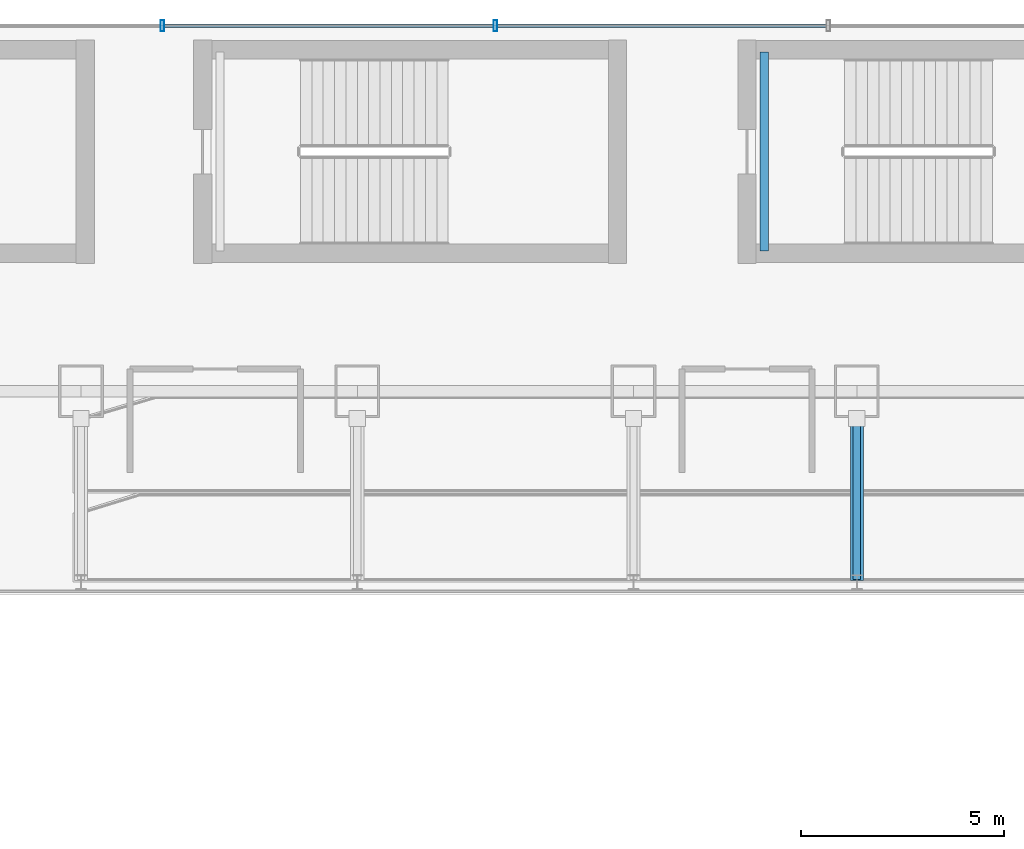
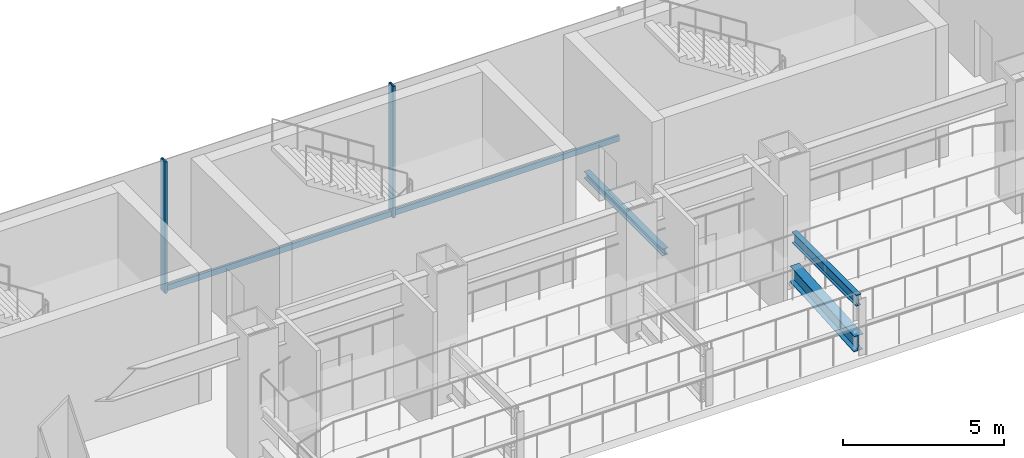
# One storey, part 15 of 39: 4 members, 3 beams, 1 element without a shape of its own.
"""IFC4 building model written with IfcOpenShell, lengths in metres."""

from ifc_helpers import new_model, si_unit, derived_unit, direction, frame, origin, origin_2d, place, context, subcontext, project, spatial, hollow_rectangle, i_section, extrude, source, transform, mapped, material, material_profile, profile_set, type_object, element, aggregate, save


model = new_model("IFC4")

# Units and contexts
model_context = context("Model", 3, precision=1e-05, world=origin(), true_north=direction((0.0, 1.0)))
body_context = subcontext(model_context, "Body", "Model", "MODEL_VIEW")
ifc_project = project(units=[si_unit("LENGTHUNIT", "METRE"), si_unit("AREAUNIT", "SQUARE_METRE"), si_unit("VOLUMEUNIT", "CUBIC_METRE"), si_unit("PLANEANGLEUNIT", "RADIAN"), si_unit("MASSUNIT", "GRAM", prefix="KILO"), derived_unit("THERMALTRANSMITTANCEUNIT", [(si_unit("POWERUNIT", "WATT"), 1), (si_unit("LENGTHUNIT", "METRE"), -2), (si_unit("THERMODYNAMICTEMPERATUREUNIT", "KELVIN"), -1)])], contexts=[model_context])

# Site, building, storey
site_placement = place(None, origin())
site = spatial("IfcSite", under=ifc_project, at=site_placement, CompositionType="ELEMENT")
building_placement = place(site_placement, origin())
building = spatial("IfcBuilding", under=site, at=building_placement, Name="Skarnbrae Concourse Arena and Tower", CompositionType="ELEMENT")
storey_placement = place(building_placement, frame((0.0, 0.0, 16.0)))
storey = spatial("IfcBuildingStorey", under=building, at=storey_placement, Name="L03", CompositionType="ELEMENT", Elevation=16.0)

# Beams
ifc_material_1 = material(Name="Steel CSA G40.21 350W", Category="steel")
ifc_material_profile_1 = material_profile(ifc_material_1, i_section(OverallWidth=0.180908203125, OverallDepth=0.4169921875, WebThickness=0.010986328125, FlangeThickness=0.018310546875, at=origin_2d()), Name="W410X85")
ifc_profile_set_1 = profile_set([ifc_material_profile_1], Name="Steel CSA G40.21 350W")
beam_type_1 = type_object("IfcBeamType", Name="BM-JOIST-W410X85", PredefinedType="JOIST", material=ifc_profile_set_1)
shared_shape_1 = source(origin(), body_context, "Body", "SweptSolid", [
    extrude(i_section(OverallWidth=0.180908203125, OverallDepth=0.4169921875, WebThickness=0.010986328125, FlangeThickness=0.018310546875, at=origin_2d()), origin(), (0.0, 0.0, 1.0), 4.0),
])
beam_1_placement = place(storey_placement, frame((33.5, 42.360107421875, 1.94140625), z_axis=(0.0, 1.0, 0.0), x_axis=(-1.0, 0.0, 0.0)))
element("IfcBeam", 1, at=beam_1_placement, inside=storey, type_object=beam_type_1, Name="L03 Arena upper seating tier cradle beam N04", PredefinedType="JOIST", context=body_context, shape_type="MappedRepresentation", body=[
    mapped(shared_shape_1, transform((0.0, 0.0, 0.0))),
])
ifc_material_profile_2 = material_profile(ifc_material_1, i_section(OverallWidth=0.323974609375, OverallDepth=0.611083984375, WebThickness=0.0126953125, FlangeThickness=0.01904296875, at=origin_2d()), Name="W610X155")
ifc_profile_set_2 = profile_set([ifc_material_profile_2], Name="Steel CSA G40.21 350W")
beam_type_2 = type_object("IfcBeamType", Name="BM-RAKER-W610X155", PredefinedType="USERDEFINED", material=ifc_profile_set_2)
shared_shape_2 = source(origin(), body_context, "Body", "SweptSolid", [
    extrude(i_section(OverallWidth=0.323974609375, OverallDepth=0.611083984375, WebThickness=0.0126953125, FlangeThickness=0.01904296875, at=origin_2d()), origin(), (0.0, 0.0, 1.0), 4.008544921875),
])
beam_2_placement = place(storey_placement, frame((33.5, 42.360107421875, 0.320068359375), z_axis=(0.0, 0.997894012809, 0.064865547097), x_axis=(-1.0, 0.0, 0.0)))
element("IfcBeam", 2, at=beam_2_placement, inside=storey, type_object=beam_type_2, Name="L03 Arena bowl sloped raker beam RB-N04", ObjectType="RAKER", PredefinedType="USERDEFINED", context=body_context, shape_type="MappedRepresentation", body=[
    mapped(shared_shape_2, transform((0.0, 0.0, 0.0))),
])

# Curtain wall, members
ifc_material_2 = material(Name="Bronze anodised aluminium 6063-T6", Category="aluminium")
curtain_wall_type = type_object("IfcCurtainWallType", Name="CW-SYS-01-PODIUM", PredefinedType="USERDEFINED", material=ifc_material_2)
curtain_wall_placement = place(storey_placement, origin())
curtain_wall = element("IfcCurtainWall", 3, at=curtain_wall_placement, inside=storey, type_object=curtain_wall_type, Name="L03 Unitised curtain wall CW-L03-N", ObjectType="UNITISED CURTAIN WALL", PredefinedType="USERDEFINED")
ifc_material_profile_3 = material_profile(ifc_material_2, hollow_rectangle(XDim=0.0849609375, YDim=0.280029296875, WallThickness=0.006103515625, at=origin_2d()), Name="ALU-MULL-85X280")
ifc_profile_set_3 = profile_set([ifc_material_profile_3], Name="Bronze anodised aluminium 6063-T6")
member_type_1 = type_object("IfcMemberType", Name="CWM-CW-01", PredefinedType="MULLION", material=ifc_profile_set_3)
shared_shape_3 = source(origin(), body_context, "Body", "SweptSolid", [
    extrude(hollow_rectangle(XDim=0.0849609375, YDim=0.280029296875, WallThickness=0.006103515625, at=origin_2d()), origin(), (0.0, 0.0, 1.0), 5.0),
])
member_1_placement = place(storey_placement, frame((24.60009765625, 56.0, 0.0), z_axis=(0.0, 0.0, 1.0), x_axis=(-1.0, 0.0, 0.0)))
member_1 = element("IfcMember", 4, at=member_1_placement, type_object=member_type_1, Name="CW-L03-N Mullion 8", PredefinedType="MULLION", context=body_context, shape_type="MappedRepresentation", body=[
    mapped(shared_shape_3, transform((0.0, 0.0, 0.0))),
])
member_2_placement = place(storey_placement, frame((16.39990234375, 56.0, 0.0), z_axis=(0.0, 0.0, 1.0), x_axis=(-1.0, 0.0, 0.0)))
member_2 = element("IfcMember", 5, at=member_2_placement, type_object=member_type_1, Name="CW-L03-N Mullion 9", PredefinedType="MULLION", context=body_context, shape_type="MappedRepresentation", body=[
    mapped(shared_shape_3, transform((0.0, 0.0, 0.0))),
])
ifc_material_profile_4 = material_profile(ifc_material_2, hollow_rectangle(XDim=0.0849609375, YDim=0.219970703125, WallThickness=0.006103515625, at=origin_2d()), Name="ALU-TRAN-85X220")
ifc_profile_set_4 = profile_set([ifc_material_profile_4], Name="Bronze anodised aluminium 6063-T6")
member_type_2 = type_object("IfcMemberType", Name="CWT-CW-01", PredefinedType="USERDEFINED", material=ifc_profile_set_4)
shared_shape_4 = source(origin(), body_context, "Body", "SweptSolid", [
    extrude(hollow_rectangle(XDim=0.0849609375, YDim=0.219970703125, WallThickness=0.006103515625, at=origin_2d()), origin(), (0.0, 0.0, 1.0), 8.114990234375),
])
member_3_placement = place(storey_placement, frame((32.757568359375, 56.0, 0.110107421875), z_axis=(-1.0, 0.0, 0.0), x_axis=(0.0, -1.0, 0.0)))
member_3 = element("IfcMember", 6, at=member_3_placement, type_object=member_type_2, Name="CW-L03-N Transom 7", ObjectType="TRANSOM", PredefinedType="USERDEFINED", context=body_context, shape_type="MappedRepresentation", body=[
    mapped(shared_shape_4, transform((0.0, 0.0, 0.0))),
])
shared_shape_5 = source(origin(), body_context, "Body", "SweptSolid", [
    extrude(hollow_rectangle(XDim=0.0849609375, YDim=0.219970703125, WallThickness=0.006103515625, at=origin_2d()), origin(), (0.0, 0.0, 1.0), 8.115234375),
])
member_4_placement = place(storey_placement, frame((24.5576171875, 56.0, 0.110107421875), z_axis=(-1.0, 0.0, 0.0), x_axis=(0.0, -1.0, 0.0)))
member_4 = element("IfcMember", 7, at=member_4_placement, type_object=member_type_2, Name="CW-L03-N Transom 8", ObjectType="TRANSOM", PredefinedType="USERDEFINED", context=body_context, shape_type="MappedRepresentation", body=[
    mapped(shared_shape_5, transform((0.0, 0.0, 0.0))),
])
aggregate(curtain_wall, [member_1, member_2, member_3, member_4])

# Beam
ifc_material_profile_5 = material_profile(ifc_material_1, i_section(OverallWidth=0.202880859375, OverallDepth=0.251953125, WebThickness=0.008056640625, FlangeThickness=0.013427734375, at=origin_2d()), Name="W250X58")
ifc_profile_set_5 = profile_set([ifc_material_profile_5], Name="Steel CSA G40.21 350W")
beam_type_3 = type_object("IfcBeamType", Name="BM-LINTEL-W250X58", PredefinedType="LINTEL", material=ifc_profile_set_5)
shared_shape_6 = source(origin(), body_context, "Body", "SweptSolid", [
    extrude(i_section(OverallWidth=0.202880859375, OverallDepth=0.251953125, WebThickness=0.008056640625, FlangeThickness=0.013427734375, at=origin_2d()), origin(), (0.0, 0.0, 1.0), 4.900146484375),
])
beam_3_placement = place(storey_placement, frame((31.219970703125, 50.449951171875, -0.325927734375), z_axis=(0.0, 1.0, 0.0), x_axis=(-1.0, 0.0, 0.0)))
element("IfcBeam", 8, at=beam_3_placement, inside=storey, type_object=beam_type_3, Name="L03 Stair ST-A7 near landing soffit beam", PredefinedType="LINTEL", context=body_context, shape_type="MappedRepresentation", body=[
    mapped(shared_shape_6, transform((0.0, 0.0, 0.0))),
])

save(model, "model.ifc")
